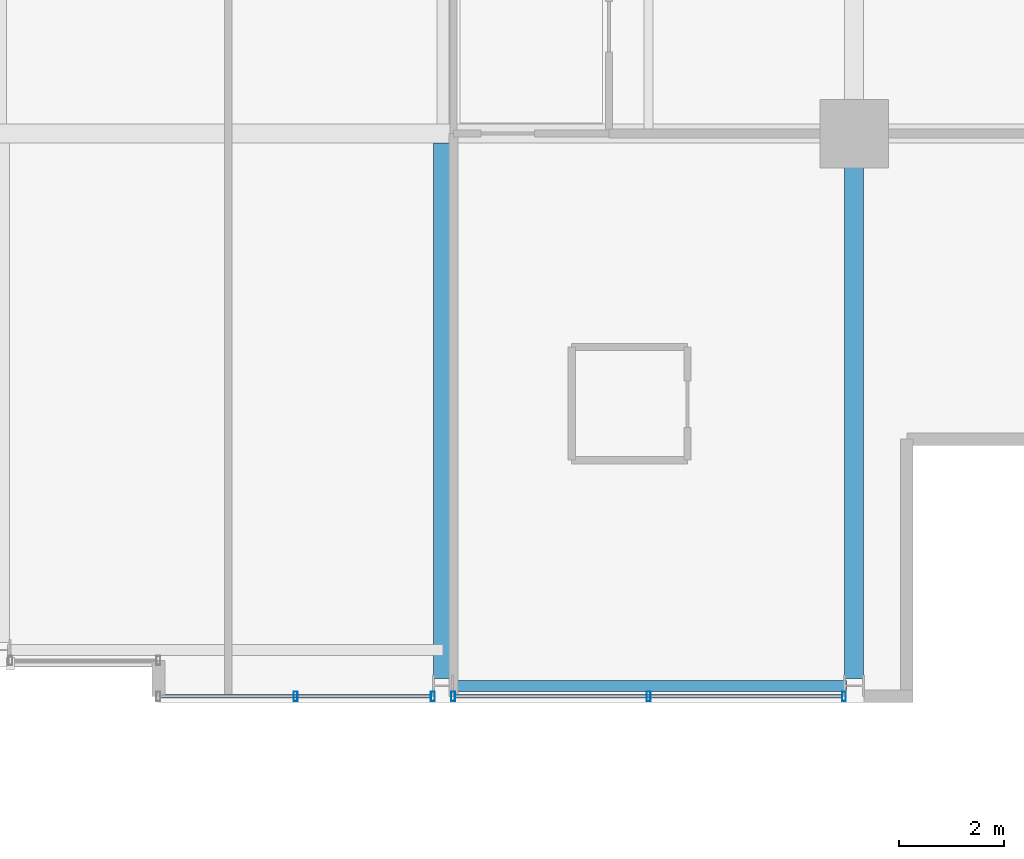
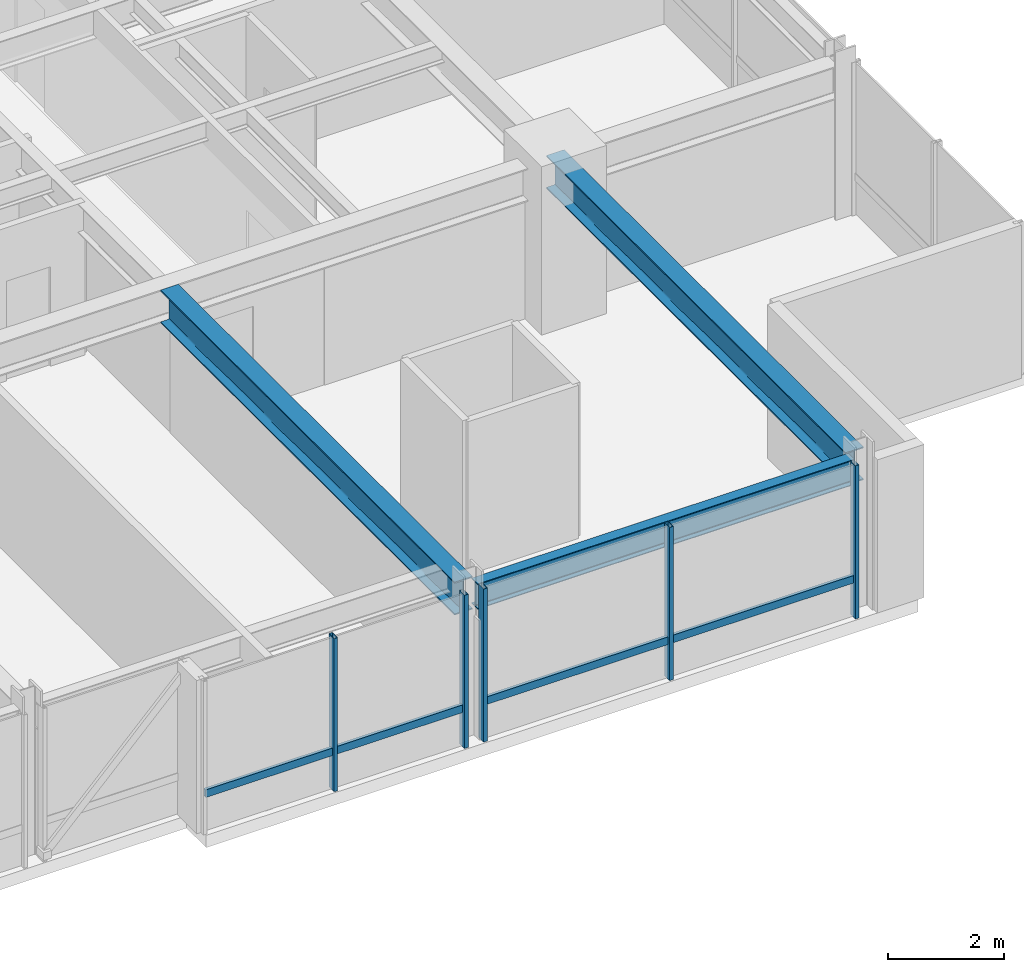
# One storey, part 11 of 33: 7 members, 3 beams, 2 elements without a shape of their own.
"""IFC4 building model written with IfcOpenShell, lengths in metres."""

from ifc_helpers import new_model, si_unit, direction, frame, origin, origin_2d, place, context, subcontext, project, spatial, hollow_rectangle, i_section, extrude, material, layer, layer_set, material_profile, profile_set, type_object, element, aggregate, save


model = new_model("IFC4")

# Units and contexts
model_context = context("Model", 3, precision=1e-05, world=origin(), true_north=direction((0.0, 1.0)))
body_context = subcontext(model_context, "Body", "Model", "MODEL_VIEW")
ifc_project = project(units=[si_unit("LENGTHUNIT", "METRE"), si_unit("AREAUNIT", "SQUARE_METRE"), si_unit("VOLUMEUNIT", "CUBIC_METRE"), si_unit("PLANEANGLEUNIT", "RADIAN"), si_unit("MASSUNIT", "GRAM", prefix="KILO")], contexts=[model_context])

# Site, building, storey
site_placement = place(None, origin())
site = spatial("IfcSite", under=ifc_project, at=site_placement, CompositionType="ELEMENT")
building_placement = place(site_placement, origin())
building = spatial("IfcBuilding", under=site, at=building_placement, Name="Drelvath Grand Hotel", CompositionType="ELEMENT")
storey_placement = place(building_placement, frame((0.0, 0.0, 196.550048828125)))
storey = spatial("IfcBuildingStorey", under=building, at=storey_placement, Name="L51", CompositionType="ELEMENT", Elevation=196.550048828125)

# Curtain wall, member
ifc_material_1 = material(Name="Brushed Pale-Silver Anodised Aluminium Frame", Category="aluminium")
ifc_layer = layer(ifc_material_1, 0.199951171875)
ifc_layer_set = layer_set([ifc_layer], Name="Brushed Pale-Silver Anodised Aluminium Frame")
curtain_wall_type = type_object("IfcCurtainWallType", Name="Stick Curtain Wall CW-04 Brushed Silver Upper-Mid", PredefinedType="NOTDEFINED", material=ifc_layer_set)
curtain_wall_1_placement = place(storey_placement, origin())
curtain_wall_1 = element("IfcCurtainWall", 1, at=curtain_wall_1_placement, inside=storey, type_object=curtain_wall_type, Name="L51 CW-04 Curtain Wall CW04-L51-SE1", PredefinedType="NOTDEFINED")
ifc_material_profile_1 = material_profile(ifc_material_1, hollow_rectangle(XDim=0.06494140625, YDim=0.159912109375, WallThickness=0.00390625, at=origin_2d()), Name="HSS160X65X4")
ifc_profile_set_1 = profile_set([ifc_material_profile_1], Name="Brushed Pale-Silver Anodised Aluminium Frame")
member_type_1 = type_object("IfcMemberType", Name="Curtain Wall Horizontal Transom CW-04 HSS160X65X4", PredefinedType="USERDEFINED", material=ifc_profile_set_1)
member_1_placement = place(storey_placement, frame((8.168212890625, 0.1201171875, 0.807373046875), z_axis=(-1.0, 0.0, 0.0), x_axis=(0.0, -1.0, 0.0)))
member_1 = element("IfcMember", 2, at=member_1_placement, type_object=member_type_1, Name="CW04-L51-SE1 Sill Transom", ObjectType="TRANSOM", PredefinedType="USERDEFINED", context=body_context, shape_type="SweptSolid", body=[
    extrude(hollow_rectangle(XDim=0.06494140625, YDim=0.159912109375, WallThickness=0.00390625, at=origin_2d()), origin(), (0.0, 0.0, 1.0), 5.128173828125),
])

curtain_wall_2_placement = place(storey_placement, origin())
curtain_wall_2 = element("IfcCurtainWall", 3, at=curtain_wall_2_placement, inside=storey, type_object=curtain_wall_type, Name="L51 CW-04 Curtain Wall CW04-L51-SE2", PredefinedType="NOTDEFINED")
member_2_placement = place(storey_placement, frame((15.968505859375, 0.1201171875, 0.807373046875), z_axis=(-1.0, 0.0, 0.0), x_axis=(0.0, -1.0, 0.0)))
member_2 = element("IfcMember", 4, at=member_2_placement, type_object=member_type_1, Name="CW04-L51-SE2 Sill Transom", ObjectType="TRANSOM", PredefinedType="USERDEFINED", context=body_context, shape_type="SweptSolid", body=[
    extrude(hollow_rectangle(XDim=0.06494140625, YDim=0.159912109375, WallThickness=0.00390625, at=origin_2d()), origin(), (0.0, 0.0, 1.0), 7.3369140625),
])

# Member
ifc_material_profile_2 = material_profile(ifc_material_1, hollow_rectangle(XDim=0.074951171875, YDim=0.179931640625, WallThickness=0.0048828125, at=origin_2d()), Name="HSS180X75X5")
ifc_profile_set_2 = profile_set([ifc_material_profile_2], Name="Brushed Pale-Silver Anodised Aluminium Frame")
member_type_2 = type_object("IfcMemberType", Name="Curtain Wall Vertical Mullion CW-04 HSS180X75X5", PredefinedType="MULLION", material=ifc_profile_set_2)
member_3_placement = place(storey_placement, frame((8.208251953125, 0.1201171875, 0.0), z_axis=(0.0, 0.0, 1.0), x_axis=(1.0, 0.0, 0.0)))
member_3 = element("IfcMember", 5, at=member_3_placement, type_object=member_type_2, Name="CW04-L51-SE1 Mullion 1", PredefinedType="MULLION", context=body_context, shape_type="SweptSolid", body=[
    extrude(hollow_rectangle(XDim=0.074951171875, YDim=0.179931640625, WallThickness=0.0048828125, at=origin_2d()), origin(), (0.0, 0.0, 1.0), 3.22998046875),
])

member_4_placement = place(storey_placement, frame((5.60400390625, 0.1201171875, 0.0), z_axis=(0.0, 0.0, 1.0), x_axis=(1.0, 0.0, 0.0)))
member_4 = element("IfcMember", 6, at=member_4_placement, type_object=member_type_2, Name="CW04-L51-SE1 Mullion 2", PredefinedType="MULLION", context=body_context, shape_type="SweptSolid", body=[
    extrude(hollow_rectangle(XDim=0.074951171875, YDim=0.179931640625, WallThickness=0.0048828125, at=origin_2d()), origin(), (0.0, 0.0, 1.0), 3.22998046875),
])

aggregate(curtain_wall_1, [member_3, member_4, member_1])

member_5_placement = place(storey_placement, frame((16.00830078125, 0.1201171875, 0.0), z_axis=(0.0, 0.0, 1.0), x_axis=(1.0, 0.0, 0.0)))
member_5 = element("IfcMember", 7, at=member_5_placement, type_object=member_type_2, Name="CW04-L51-SE2 Mullion 1", PredefinedType="MULLION", context=body_context, shape_type="SweptSolid", body=[
    extrude(hollow_rectangle(XDim=0.074951171875, YDim=0.179931640625, WallThickness=0.0048828125, at=origin_2d()), origin(), (0.0, 0.0, 1.0), 3.22998046875),
])

member_6_placement = place(storey_placement, frame((12.300048828125, 0.1201171875, 0.0), z_axis=(0.0, 0.0, 1.0), x_axis=(1.0, 0.0, 0.0)))
member_6 = element("IfcMember", 8, at=member_6_placement, type_object=member_type_2, Name="CW04-L51-SE2 Mullion 2", PredefinedType="MULLION", context=body_context, shape_type="SweptSolid", body=[
    extrude(hollow_rectangle(XDim=0.074951171875, YDim=0.179931640625, WallThickness=0.0048828125, at=origin_2d()), origin(), (0.0, 0.0, 1.0), 3.22998046875),
])

member_7_placement = place(storey_placement, frame((8.591796875, 0.1201171875, 0.0), z_axis=(0.0, 0.0, 1.0), x_axis=(1.0, 0.0, 0.0)))
member_7 = element("IfcMember", 9, at=member_7_placement, type_object=member_type_2, Name="CW04-L51-SE2 Mullion 3", PredefinedType="MULLION", context=body_context, shape_type="SweptSolid", body=[
    extrude(hollow_rectangle(XDim=0.074951171875, YDim=0.179931640625, WallThickness=0.0048828125, at=origin_2d()), origin(), (0.0, 0.0, 1.0), 3.22998046875),
])

aggregate(curtain_wall_2, [member_5, member_6, member_7, member_2])

# Beams
ifc_material_2 = material(Name="Steel ASTM A992 Gr 50", Category="steel")
ifc_material_profile_3 = material_profile(ifc_material_2, i_section(OverallWidth=0.210205078125, OverallDepth=0.53662109375, WebThickness=0.010986328125, FlangeThickness=0.017333984375, FilletRadius=0.01806640625, at=origin_2d()), Name="W21X68")
ifc_profile_set_3 = profile_set([ifc_material_profile_3], Name="Steel ASTM A992 Gr 50")
beam_type_1 = type_object("IfcBeamType", Name="Perimeter Spandrel Beam W21X68", PredefinedType="SPANDREL", material=ifc_profile_set_3)
beam_1_placement = place(storey_placement, frame((8.5400390625, 0.320068359375, 2.961669921875), z_axis=(1.0, 0.0, 0.0), x_axis=(0.0, 1.0, 0.0)))
element("IfcBeam", 10, at=beam_1_placement, inside=storey, type_object=beam_type_1, Name="L51 Spandrel South E", PredefinedType="SPANDREL", context=body_context, shape_type="SweptSolid", body=[
    extrude(i_section(OverallWidth=0.210205078125, OverallDepth=0.53662109375, WebThickness=0.010986328125, FlangeThickness=0.017333984375, FilletRadius=0.01806640625, at=origin_2d()), origin(), (0.0, 0.0, 1.0), 7.52001953125),
])
ifc_material_profile_4 = material_profile(ifc_material_2, i_section(OverallWidth=0.354736328125, OverallDepth=0.695556640625, WebThickness=0.015380859375, FlangeThickness=0.025146484375, FilletRadius=0.02392578125, at=origin_2d()), Name="W27X146")
ifc_profile_set_4 = profile_set([ifc_material_profile_4], Name="Steel ASTM A992 Gr 50")
beam_type_2 = type_object("IfcBeamType", Name="Primary Floor Girder W27X146", PredefinedType="BEAM", material=ifc_profile_set_4)
beam_2_placement = place(storey_placement, frame((16.199951171875, 0.4599609375, 2.88232421875), z_axis=(0.0, 1.0, 0.0), x_axis=(-1.0, 0.0, 0.0)))
element("IfcBeam", 11, at=beam_2_placement, inside=storey, type_object=beam_type_2, Name="L51 South Grid Girder 7", PredefinedType="BEAM", context=body_context, shape_type="SweptSolid", body=[
    extrude(i_section(OverallWidth=0.354736328125, OverallDepth=0.695556640625, WebThickness=0.015380859375, FlangeThickness=0.025146484375, FilletRadius=0.02392578125, at=origin_2d()), origin(), (0.0, 0.0, 1.0), 10.340087890625),
])
beam_3_placement = place(storey_placement, frame((8.39990234375, 0.4599609375, 2.88232421875), z_axis=(0.0, 1.0, 0.0), x_axis=(-1.0, 0.0, 0.0)))
element("IfcBeam", 12, at=beam_3_placement, inside=storey, type_object=beam_type_2, Name="L51 South Wing Girder 6", PredefinedType="BEAM", context=body_context, shape_type="SweptSolid", body=[
    extrude(i_section(OverallWidth=0.354736328125, OverallDepth=0.695556640625, WebThickness=0.015380859375, FlangeThickness=0.025146484375, FilletRadius=0.02392578125, at=origin_2d()), origin(), (0.0, 0.0, 1.0), 10.16259765625),
])

save(model, "model.ifc")
